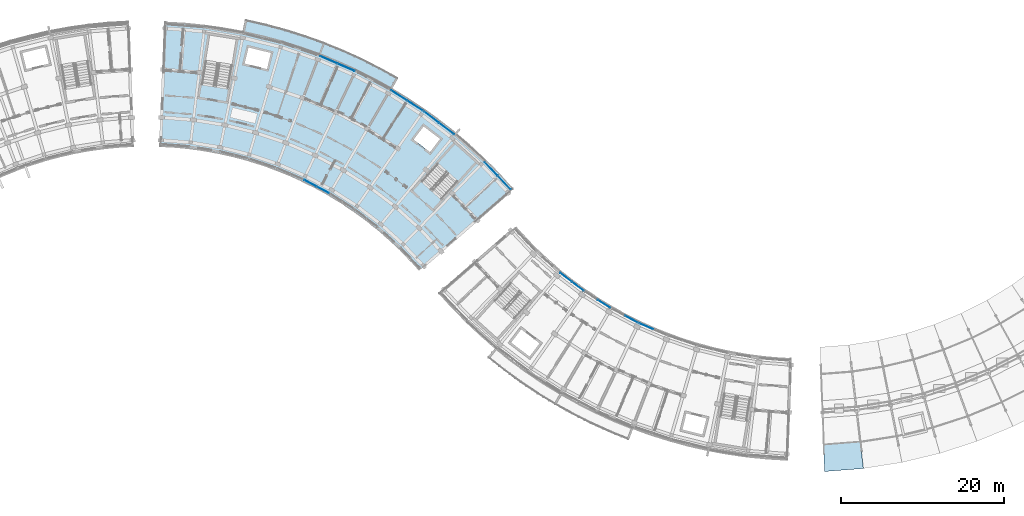
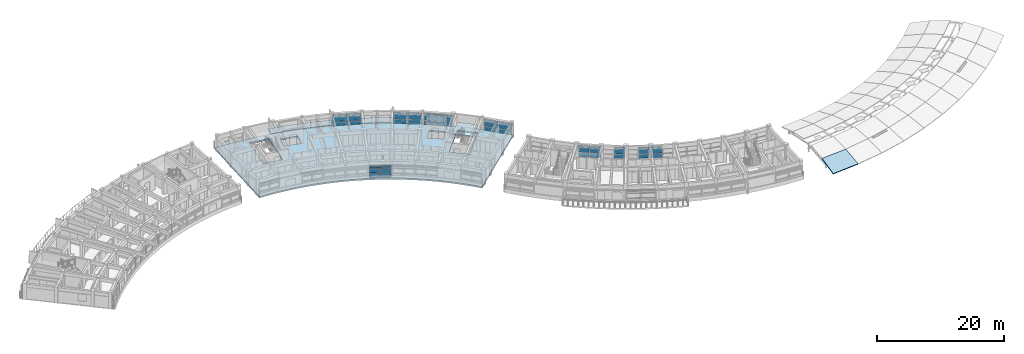
# One storey, part 27 of 50: 45 plates, 4 slabs, 10 elements without a shape of their own.
"""IFC4 building model written with IfcOpenShell, lengths in metres."""

from ifc_helpers import new_model, si_unit, direction, frame, origin, origin_2d, place, context, subcontext, project, spatial, polyline, rectangle, outline, extrude, material, layer, layer_set, type_object, element, aggregate, save


model = new_model("IFC4")

# Units and contexts
model_context = context("Model", 3, precision=1e-05, world=origin(), true_north=direction((0.0, 1.0)))
body_context = subcontext(model_context, "Body", "Model", "MODEL_VIEW")
ifc_project = project(units=[si_unit("LENGTHUNIT", "METRE"), si_unit("AREAUNIT", "SQUARE_METRE"), si_unit("VOLUMEUNIT", "CUBIC_METRE"), si_unit("PLANEANGLEUNIT", "RADIAN"), si_unit("MASSUNIT", "GRAM", prefix="KILO")], contexts=[model_context])

# Site, building, storey
site_placement = place(None, origin())
site = spatial("IfcSite", under=ifc_project, at=site_placement, CompositionType="ELEMENT")
building_placement = place(site_placement, origin())
building = spatial("IfcBuilding", under=site, at=building_placement, Name="Zimvara Arc Housing Community", CompositionType="ELEMENT")
storey_placement = place(building_placement, frame((0.0, 0.0, 26.699951171875)))
storey = spatial("IfcBuildingStorey", under=building, at=storey_placement, Name="L08", CompositionType="ELEMENT", Elevation=26.699951171875)

# Curtain wall, plates
ifc_material_1 = material(Name="Anodised Aluminium AW-6063", Category="aluminium")
curtain_wall_type_1 = type_object("IfcCurtainWallType", Name="CW-SYS-04", PredefinedType="USERDEFINED", material=ifc_material_1)
curtain_wall_1_placement = place(storey_placement, origin())
curtain_wall_1 = element("IfcCurtainWall", 1, at=curtain_wall_1_placement, inside=storey, type_object=curtain_wall_type_1, Name="cw:blkB:L08:in:b5", ObjectType="CURTAIN WALL", PredefinedType="USERDEFINED")
ifc_material_2 = material(Name="Pale-Gold Anodised Aluminium Spandrel Panel", Category="aluminium")
ifc_layer_1 = layer(ifc_material_2, 0.035888671875)
ifc_layer_set_1 = layer_set([ifc_layer_1], Name="Pale-Gold Anodised Aluminium Spandrel Panel")
plate_type_1 = type_object("IfcPlateType", Name="CWP-GLD-36", PredefinedType="CURTAIN_PANEL", material=ifc_layer_set_1)
plate_1_placement = place(storey_placement, frame((65.125244140625, 84.291259765625, 0.065185546875), z_axis=(0.0, 0.0, 1.0), x_axis=(0.88343981815, -0.468544648573, 0.0)))
plate_1 = element("IfcPlate", 2, at=plate_1_placement, type_object=plate_type_1, Name="CW04 panel 1.1", PredefinedType="CURTAIN_PANEL", context=body_context, shape_type="SweptSolid", body=[
    extrude(rectangle(XDim=1.664306640625, YDim=0.035888671875, at=origin_2d()), origin(), (0.0, 0.0, 1.0), 0.75244140625),
])
plate_2_placement = place(storey_placement, frame((65.125244140625, 84.291259765625, 0.88232421875), z_axis=(0.0, 0.0, 1.0), x_axis=(0.88343981815, -0.468544648573, 0.0)))
plate_2 = element("IfcPlate", 3, at=plate_2_placement, type_object=plate_type_1, Name="CW04 panel 1.2", PredefinedType="CURTAIN_PANEL", context=body_context, shape_type="SweptSolid", body=[
    extrude(rectangle(XDim=1.664306640625, YDim=0.035888671875, at=origin_2d()), origin(), (0.0, 0.0, 1.0), 0.885009765625),
])
plate_3_placement = place(storey_placement, frame((65.125244140625, 84.291259765625, 1.83251953125), z_axis=(0.0, 0.0, 1.0), x_axis=(0.88343981815, -0.468544648573, 0.0)))
plate_3 = element("IfcPlate", 4, at=plate_3_placement, type_object=plate_type_1, Name="CW04 panel 1.3", PredefinedType="CURTAIN_PANEL", context=body_context, shape_type="SweptSolid", body=[
    extrude(rectangle(XDim=1.664306640625, YDim=0.035888671875, at=origin_2d()), origin(), (0.0, 0.0, 1.0), 0.3525390625),
])
plate_4_placement = place(storey_placement, frame((66.653076171875, 83.48095703125, 0.065185546875), z_axis=(0.0, 0.0, 1.0), x_axis=(0.88343981815, -0.468544648573, 0.0)))
plate_4 = element("IfcPlate", 5, at=plate_4_placement, type_object=plate_type_1, Name="CW04 panel 2.1", PredefinedType="CURTAIN_PANEL", context=body_context, shape_type="SweptSolid", body=[
    extrude(rectangle(XDim=1.664306640625, YDim=0.035888671875, at=origin_2d()), origin(), (0.0, 0.0, 1.0), 0.75244140625),
])
plate_5_placement = place(storey_placement, frame((66.653076171875, 83.48095703125, 0.88232421875), z_axis=(0.0, 0.0, 1.0), x_axis=(0.88343981815, -0.468544648573, 0.0)))
plate_5 = element("IfcPlate", 6, at=plate_5_placement, type_object=plate_type_1, Name="CW04 panel 2.2", PredefinedType="CURTAIN_PANEL", context=body_context, shape_type="SweptSolid", body=[
    extrude(rectangle(XDim=1.664306640625, YDim=0.035888671875, at=origin_2d()), origin(), (0.0, 0.0, 1.0), 0.885009765625),
])
plate_6_placement = place(storey_placement, frame((66.653076171875, 83.48095703125, 1.83251953125), z_axis=(0.0, 0.0, 1.0), x_axis=(0.88343981815, -0.468544648573, 0.0)))
plate_6 = element("IfcPlate", 7, at=plate_6_placement, type_object=plate_type_1, Name="CW04 panel 2.3", PredefinedType="CURTAIN_PANEL", context=body_context, shape_type="SweptSolid", body=[
    extrude(rectangle(XDim=1.664306640625, YDim=0.035888671875, at=origin_2d()), origin(), (0.0, 0.0, 1.0), 0.3525390625),
])
aggregate(curtain_wall_1, [plate_1, plate_2, plate_3, plate_4, plate_5, plate_6])

ifc_material_3 = material(Name="Anodised Aluminium AW-6063", Category="aluminium")
curtain_wall_type_2 = type_object("IfcCurtainWallType", Name="CW-SYS-05", PredefinedType="USERDEFINED", material=ifc_material_3)
curtain_wall_2_placement = place(storey_placement, origin())
curtain_wall_2 = element("IfcCurtainWall", 8, at=curtain_wall_2_placement, inside=storey, type_object=curtain_wall_type_2, Name="cw:blkB:L08:out:b6", ObjectType="CURTAIN WALL", PredefinedType="USERDEFINED")
ifc_material_4 = material(Name="Solar Control Low-E Double Glazing", Category="glass")
ifc_layer_2 = layer(ifc_material_4, 0.02392578125)
ifc_layer_set_2 = layer_set([ifc_layer_2], Name="Solar Control Low-E Double Glazing")
plate_type_2 = type_object("IfcPlateType", Name="CWP-GLZ-24", PredefinedType="CURTAIN_PANEL", material=ifc_layer_set_2)
plate_7_placement = place(storey_placement, frame((76.0009765625, 95.1005859375, 0.065185546875), z_axis=(0.0, 0.0, 1.0), x_axis=(0.842264410931, -0.539064617721, 0.0)))
plate_7 = element("IfcPlate", 9, at=plate_7_placement, type_object=plate_type_2, Name="CW05 panel 1.1", PredefinedType="CURTAIN_PANEL", context=body_context, shape_type="SweptSolid", body=[
    extrude(rectangle(XDim=2.266845703125, YDim=0.02392578125, at=origin_2d()), origin(), (0.0, 0.0, 1.0), 0.75244140625),
])
plate_8_placement = place(storey_placement, frame((76.0009765625, 95.1005859375, 0.88232421875), z_axis=(0.0, 0.0, 1.0), x_axis=(0.842264410931, -0.539064617721, 0.0)))
plate_8 = element("IfcPlate", 10, at=plate_8_placement, type_object=plate_type_2, Name="CW05 panel 1.2", PredefinedType="CURTAIN_PANEL", context=body_context, shape_type="SweptSolid", body=[
    extrude(rectangle(XDim=2.266845703125, YDim=0.02392578125, at=origin_2d()), origin(), (0.0, 0.0, 1.0), 0.885009765625),
])
plate_9_placement = place(storey_placement, frame((76.0009765625, 95.1005859375, 1.83251953125), z_axis=(0.0, 0.0, 1.0), x_axis=(0.842264410931, -0.539064617721, 0.0)))
plate_9 = element("IfcPlate", 11, at=plate_9_placement, type_object=plate_type_2, Name="CW05 panel 1.3", PredefinedType="CURTAIN_PANEL", context=body_context, shape_type="SweptSolid", body=[
    extrude(rectangle(XDim=2.266845703125, YDim=0.02392578125, at=origin_2d()), origin(), (0.0, 0.0, 1.0), 0.3525390625),
])
plate_10_placement = place(storey_placement, frame((77.965087890625, 93.843505859375, 0.065185546875), z_axis=(0.0, 0.0, 1.0), x_axis=(0.842264410931, -0.539064617721, 0.0)))
plate_10 = element("IfcPlate", 12, at=plate_10_placement, type_object=plate_type_2, Name="CW05 panel 2.1", PredefinedType="CURTAIN_PANEL", context=body_context, shape_type="SweptSolid", body=[
    extrude(rectangle(XDim=2.266845703125, YDim=0.02392578125, at=origin_2d()), origin(), (0.0, 0.0, 1.0), 0.75244140625),
])
plate_11_placement = place(storey_placement, frame((77.965087890625, 93.843505859375, 0.88232421875), z_axis=(0.0, 0.0, 1.0), x_axis=(0.842264410931, -0.539064617721, 0.0)))
plate_11 = element("IfcPlate", 13, at=plate_11_placement, type_object=plate_type_2, Name="CW05 panel 2.2", PredefinedType="CURTAIN_PANEL", context=body_context, shape_type="SweptSolid", body=[
    extrude(rectangle(XDim=2.266845703125, YDim=0.02392578125, at=origin_2d()), origin(), (0.0, 0.0, 1.0), 0.885009765625),
])
plate_12_placement = place(storey_placement, frame((77.965087890625, 93.843505859375, 1.83251953125), z_axis=(0.0, 0.0, 1.0), x_axis=(0.842264410931, -0.539064617721, 0.0)))
plate_12 = element("IfcPlate", 14, at=plate_12_placement, type_object=plate_type_2, Name="CW05 panel 2.3", PredefinedType="CURTAIN_PANEL", context=body_context, shape_type="SweptSolid", body=[
    extrude(rectangle(XDim=2.266845703125, YDim=0.02392578125, at=origin_2d()), origin(), (0.0, 0.0, 1.0), 0.3525390625),
])
aggregate(curtain_wall_2, [plate_7, plate_8, plate_9, plate_10, plate_11, plate_12])

ifc_material_5 = material(Name="Anodised Aluminium AW-6063", Category="aluminium")
curtain_wall_type_3 = type_object("IfcCurtainWallType", Name="CW-SYS-01", PredefinedType="USERDEFINED", material=ifc_material_5)
curtain_wall_3_placement = place(storey_placement, origin())
curtain_wall_3 = element("IfcCurtainWall", 15, at=curtain_wall_3_placement, inside=storey, type_object=curtain_wall_type_3, Name="cw:blkB:L08:out:b9", ObjectType="CURTAIN WALL", PredefinedType="USERDEFINED")
plate_13_placement = place(storey_placement, frame((87.350341796875, 86.068115234375, 0.065185546875), z_axis=(0.0, 0.0, 1.0), x_axis=(0.686326416495, -0.727293647725, 0.0)))
plate_13 = element("IfcPlate", 16, at=plate_13_placement, type_object=plate_type_2, Name="CW01 panel 1.1", PredefinedType="CURTAIN_PANEL", context=body_context, shape_type="SweptSolid", body=[
    extrude(rectangle(XDim=2.266845703125, YDim=0.02392578125, at=origin_2d()), origin(), (0.0, 0.0, 1.0), 0.75244140625),
])
plate_14_placement = place(storey_placement, frame((87.350341796875, 86.068115234375, 0.88232421875), z_axis=(0.0, 0.0, 1.0), x_axis=(0.686326416495, -0.727293647725, 0.0)))
plate_14 = element("IfcPlate", 17, at=plate_14_placement, type_object=plate_type_2, Name="CW01 panel 1.2", PredefinedType="CURTAIN_PANEL", context=body_context, shape_type="SweptSolid", body=[
    extrude(rectangle(XDim=2.266845703125, YDim=0.02392578125, at=origin_2d()), origin(), (0.0, 0.0, 1.0), 0.885009765625),
])
plate_15_placement = place(storey_placement, frame((87.350341796875, 86.068115234375, 1.83251953125), z_axis=(0.0, 0.0, 1.0), x_axis=(0.686326416495, -0.727293647725, 0.0)))
plate_15 = element("IfcPlate", 18, at=plate_15_placement, type_object=plate_type_2, Name="CW01 panel 1.3", PredefinedType="CURTAIN_PANEL", context=body_context, shape_type="SweptSolid", body=[
    extrude(rectangle(XDim=2.266845703125, YDim=0.02392578125, at=origin_2d()), origin(), (0.0, 0.0, 1.0), 0.3525390625),
])
plate_16_placement = place(storey_placement, frame((88.950927734375, 84.3720703125, 0.065185546875), z_axis=(0.0, 0.0, 1.0), x_axis=(0.686326416495, -0.727293647725, 0.0)))
plate_16 = element("IfcPlate", 19, at=plate_16_placement, type_object=plate_type_2, Name="CW01 panel 2.1", PredefinedType="CURTAIN_PANEL", context=body_context, shape_type="SweptSolid", body=[
    extrude(rectangle(XDim=2.266845703125, YDim=0.02392578125, at=origin_2d()), origin(), (0.0, 0.0, 1.0), 0.75244140625),
])
plate_17_placement = place(storey_placement, frame((88.950927734375, 84.3720703125, 0.88232421875), z_axis=(0.0, 0.0, 1.0), x_axis=(0.686326416495, -0.727293647725, 0.0)))
plate_17 = element("IfcPlate", 20, at=plate_17_placement, type_object=plate_type_2, Name="CW01 panel 2.2", PredefinedType="CURTAIN_PANEL", context=body_context, shape_type="SweptSolid", body=[
    extrude(rectangle(XDim=2.266845703125, YDim=0.02392578125, at=origin_2d()), origin(), (0.0, 0.0, 1.0), 0.885009765625),
])
plate_18_placement = place(storey_placement, frame((88.950927734375, 84.3720703125, 1.83251953125), z_axis=(0.0, 0.0, 1.0), x_axis=(0.686326416495, -0.727293647725, 0.0)))
plate_18 = element("IfcPlate", 21, at=plate_18_placement, type_object=plate_type_2, Name="CW01 panel 2.3", PredefinedType="CURTAIN_PANEL", context=body_context, shape_type="SweptSolid", body=[
    extrude(rectangle(XDim=2.266845703125, YDim=0.02392578125, at=origin_2d()), origin(), (0.0, 0.0, 1.0), 0.3525390625),
])
aggregate(curtain_wall_3, [plate_13, plate_14, plate_15, plate_16, plate_17, plate_18])

curtain_wall_4_placement = place(storey_placement, origin())
curtain_wall_4 = element("IfcCurtainWall", 22, at=curtain_wall_4_placement, inside=storey, type_object=curtain_wall_type_2, Name="cw:blkC:L08:in:b4", ObjectType="CURTAIN WALL", PredefinedType="USERDEFINED")
plate_19_placement = place(storey_placement, frame((104.594482421875, 67.5703125, 0.065185546875), z_axis=(0.0, 0.0, 1.0), x_axis=(0.883438518424, -0.468547099195, 0.0)))
plate_19 = element("IfcPlate", 23, at=plate_19_placement, type_object=plate_type_2, Name="CW05 panel 2.1", PredefinedType="CURTAIN_PANEL", context=body_context, shape_type="SweptSolid", body=[
    extrude(rectangle(XDim=1.778564453125, YDim=0.02392578125, at=origin_2d()), origin(), (0.0, 0.0, 1.0), 0.75244140625),
])
plate_20_placement = place(storey_placement, frame((104.594482421875, 67.5703125, 0.88232421875), z_axis=(0.0, 0.0, 1.0), x_axis=(0.883438518424, -0.468547099195, 0.0)))
plate_20 = element("IfcPlate", 24, at=plate_20_placement, type_object=plate_type_2, Name="CW05 panel 2.2", PredefinedType="CURTAIN_PANEL", context=body_context, shape_type="SweptSolid", body=[
    extrude(rectangle(XDim=1.778564453125, YDim=0.02392578125, at=origin_2d()), origin(), (0.0, 0.0, 1.0), 0.885009765625),
])
plate_21_placement = place(storey_placement, frame((104.594482421875, 67.5703125, 1.83251953125), z_axis=(0.0, 0.0, 1.0), x_axis=(0.883438518424, -0.468547099195, 0.0)))
plate_21 = element("IfcPlate", 25, at=plate_21_placement, type_object=plate_type_2, Name="CW05 panel 2.3", PredefinedType="CURTAIN_PANEL", context=body_context, shape_type="SweptSolid", body=[
    extrude(rectangle(XDim=1.778564453125, YDim=0.02392578125, at=origin_2d()), origin(), (0.0, 0.0, 1.0), 0.3525390625),
])
aggregate(curtain_wall_4, [plate_19, plate_20, plate_21])

ifc_material_6 = material(Name="Anodised Aluminium AW-6063", Category="aluminium")
curtain_wall_type_4 = type_object("IfcCurtainWallType", Name="CW-SYS-02", PredefinedType="USERDEFINED", material=ifc_material_6)
curtain_wall_5_placement = place(storey_placement, origin())
curtain_wall_5 = element("IfcCurtainWall", 26, at=curtain_wall_5_placement, inside=storey, type_object=curtain_wall_type_4, Name="cw:blkB:L08:out:b4", ObjectType="CURTAIN WALL", PredefinedType="USERDEFINED")
ifc_material_7 = material(Name="Solar Control Low-E Double Glazing", Category="glass")
ifc_layer_3 = layer(ifc_material_7, 0.028076171875)
ifc_layer_set_3 = layer_set([ifc_layer_3], Name="Solar Control Low-E Double Glazing")
plate_type_3 = type_object("IfcPlateType", Name="CWP-GLZ-28", PredefinedType="CURTAIN_PANEL", material=ifc_layer_set_3)
plate_22_placement = place(storey_placement, frame((67.358642578125, 99.46875, 0.065185546875), z_axis=(0.0, 0.0, 1.0), x_axis=(0.918722299363, -0.394904211998, 0.0)))
plate_22 = element("IfcPlate", 27, at=plate_22_placement, type_object=plate_type_3, Name="CW02 panel 1.1", PredefinedType="CURTAIN_PANEL", context=body_context, shape_type="SweptSolid", body=[
    extrude(rectangle(XDim=2.266845703125, YDim=0.028076171875, at=origin_2d()), origin(), (0.0, 0.0, 1.0), 0.75244140625),
])
plate_23_placement = place(storey_placement, frame((67.358642578125, 99.46875, 0.88232421875), z_axis=(0.0, 0.0, 1.0), x_axis=(0.918722299363, -0.394904211998, 0.0)))
plate_23 = element("IfcPlate", 28, at=plate_23_placement, type_object=plate_type_3, Name="CW02 panel 1.2", PredefinedType="CURTAIN_PANEL", context=body_context, shape_type="SweptSolid", body=[
    extrude(rectangle(XDim=2.266845703125, YDim=0.028076171875, at=origin_2d()), origin(), (0.0, 0.0, 1.0), 0.885009765625),
])
plate_24_placement = place(storey_placement, frame((67.358642578125, 99.46875, 1.83251953125), z_axis=(0.0, 0.0, 1.0), x_axis=(0.918722299363, -0.394904211998, 0.0)))
plate_24 = element("IfcPlate", 29, at=plate_24_placement, type_object=plate_type_3, Name="CW02 panel 1.3", PredefinedType="CURTAIN_PANEL", context=body_context, shape_type="SweptSolid", body=[
    extrude(rectangle(XDim=2.266845703125, YDim=0.028076171875, at=origin_2d()), origin(), (0.0, 0.0, 1.0), 0.3525390625),
])
plate_25_placement = place(storey_placement, frame((69.5009765625, 98.5478515625, 0.065185546875), z_axis=(0.0, 0.0, 1.0), x_axis=(0.918722299363, -0.394904211998, 0.0)))
plate_25 = element("IfcPlate", 30, at=plate_25_placement, type_object=plate_type_3, Name="CW02 panel 2.1", PredefinedType="CURTAIN_PANEL", context=body_context, shape_type="SweptSolid", body=[
    extrude(rectangle(XDim=2.266845703125, YDim=0.028076171875, at=origin_2d()), origin(), (0.0, 0.0, 1.0), 0.75244140625),
])
plate_26_placement = place(storey_placement, frame((69.5009765625, 98.5478515625, 0.88232421875), z_axis=(0.0, 0.0, 1.0), x_axis=(0.918722299363, -0.394904211998, 0.0)))
plate_26 = element("IfcPlate", 31, at=plate_26_placement, type_object=plate_type_3, Name="CW02 panel 2.2", PredefinedType="CURTAIN_PANEL", context=body_context, shape_type="SweptSolid", body=[
    extrude(rectangle(XDim=2.266845703125, YDim=0.028076171875, at=origin_2d()), origin(), (0.0, 0.0, 1.0), 0.885009765625),
])
plate_27_placement = place(storey_placement, frame((69.5009765625, 98.5478515625, 1.83251953125), z_axis=(0.0, 0.0, 1.0), x_axis=(0.918722299363, -0.394904211998, 0.0)))
plate_27 = element("IfcPlate", 32, at=plate_27_placement, type_object=plate_type_3, Name="CW02 panel 2.3", PredefinedType="CURTAIN_PANEL", context=body_context, shape_type="SweptSolid", body=[
    extrude(rectangle(XDim=2.266845703125, YDim=0.028076171875, at=origin_2d()), origin(), (0.0, 0.0, 1.0), 0.3525390625),
])
aggregate(curtain_wall_5, [plate_22, plate_23, plate_24, plate_25, plate_26, plate_27])

curtain_wall_6_placement = place(storey_placement, origin())
curtain_wall_6 = element("IfcCurtainWall", 33, at=curtain_wall_6_placement, inside=storey, type_object=curtain_wall_type_4, Name="cw:blkC:L08:in:b2", ObjectType="CURTAIN WALL", PredefinedType="USERDEFINED")
plate_28_placement = place(storey_placement, frame((96.53466796875, 72.728759765625, 0.065185546875), z_axis=(0.0, 0.0, 1.0), x_axis=(0.795473930895, -0.605987809503, 0.0)))
plate_28 = element("IfcPlate", 34, at=plate_28_placement, type_object=plate_type_3, Name="CW02 panel 1.1", PredefinedType="CURTAIN_PANEL", context=body_context, shape_type="SweptSolid", body=[
    extrude(rectangle(XDim=1.778564453125, YDim=0.028076171875, at=origin_2d()), origin(), (0.0, 0.0, 1.0), 0.75244140625),
])
plate_29_placement = place(storey_placement, frame((96.53466796875, 72.728759765625, 0.88232421875), z_axis=(0.0, 0.0, 1.0), x_axis=(0.795473930895, -0.605987809503, 0.0)))
plate_29 = element("IfcPlate", 35, at=plate_29_placement, type_object=plate_type_3, Name="CW02 panel 1.2", PredefinedType="CURTAIN_PANEL", context=body_context, shape_type="SweptSolid", body=[
    extrude(rectangle(XDim=1.778564453125, YDim=0.028076171875, at=origin_2d()), origin(), (0.0, 0.0, 1.0), 0.885009765625),
])
plate_30_placement = place(storey_placement, frame((96.53466796875, 72.728759765625, 1.83251953125), z_axis=(0.0, 0.0, 1.0), x_axis=(0.795473930895, -0.605987809503, 0.0)))
plate_30 = element("IfcPlate", 36, at=plate_30_placement, type_object=plate_type_3, Name="CW02 panel 1.3", PredefinedType="CURTAIN_PANEL", context=body_context, shape_type="SweptSolid", body=[
    extrude(rectangle(XDim=1.778564453125, YDim=0.028076171875, at=origin_2d()), origin(), (0.0, 0.0, 1.0), 0.3525390625),
])
plate_31_placement = place(storey_placement, frame((98.001220703125, 71.611572265625, 0.065185546875), z_axis=(0.0, 0.0, 1.0), x_axis=(0.795473930895, -0.605987809503, 0.0)))
plate_31 = element("IfcPlate", 37, at=plate_31_placement, type_object=plate_type_3, Name="CW02 panel 2.1", PredefinedType="CURTAIN_PANEL", context=body_context, shape_type="SweptSolid", body=[
    extrude(rectangle(XDim=1.778564453125, YDim=0.028076171875, at=origin_2d()), origin(), (0.0, 0.0, 1.0), 0.75244140625),
])
plate_32_placement = place(storey_placement, frame((98.001220703125, 71.611572265625, 0.88232421875), z_axis=(0.0, 0.0, 1.0), x_axis=(0.795473930895, -0.605987809503, 0.0)))
plate_32 = element("IfcPlate", 38, at=plate_32_placement, type_object=plate_type_3, Name="CW02 panel 2.2", PredefinedType="CURTAIN_PANEL", context=body_context, shape_type="SweptSolid", body=[
    extrude(rectangle(XDim=1.778564453125, YDim=0.028076171875, at=origin_2d()), origin(), (0.0, 0.0, 1.0), 0.885009765625),
])
plate_33_placement = place(storey_placement, frame((98.001220703125, 71.611572265625, 1.83251953125), z_axis=(0.0, 0.0, 1.0), x_axis=(0.795473930895, -0.605987809503, 0.0)))
plate_33 = element("IfcPlate", 39, at=plate_33_placement, type_object=plate_type_3, Name="CW02 panel 2.3", PredefinedType="CURTAIN_PANEL", context=body_context, shape_type="SweptSolid", body=[
    extrude(rectangle(XDim=1.778564453125, YDim=0.028076171875, at=origin_2d()), origin(), (0.0, 0.0, 1.0), 0.3525390625),
])
aggregate(curtain_wall_6, [plate_28, plate_29, plate_30, plate_31, plate_32, plate_33])

ifc_material_8 = material(Name="Anodised Aluminium AW-6063", Category="aluminium")
curtain_wall_type_5 = type_object("IfcCurtainWallType", Name="CW-SYS-06", PredefinedType="USERDEFINED", material=ifc_material_8)
curtain_wall_7_placement = place(storey_placement, origin())
curtain_wall_7 = element("IfcCurtainWall", 40, at=curtain_wall_7_placement, inside=storey, type_object=curtain_wall_type_5, Name="cw:blkC:L08:in:b5", ObjectType="CURTAIN WALL", PredefinedType="USERDEFINED")
plate_34_placement = place(storey_placement, frame((106.42236328125, 66.694580078125, 0.065185546875), z_axis=(0.0, 0.0, 1.0), x_axis=(0.918722411261, -0.394903951674, 0.0)))
plate_34 = element("IfcPlate", 41, at=plate_34_placement, type_object=plate_type_3, Name="CW06 panel 1.1", PredefinedType="CURTAIN_PANEL", context=body_context, shape_type="SweptSolid", body=[
    extrude(rectangle(XDim=1.778564453125, YDim=0.028076171875, at=origin_2d()), origin(), (0.0, 0.0, 1.0), 0.75244140625),
])
plate_35_placement = place(storey_placement, frame((106.42236328125, 66.694580078125, 0.88232421875), z_axis=(0.0, 0.0, 1.0), x_axis=(0.918722411261, -0.394903951674, 0.0)))
plate_35 = element("IfcPlate", 42, at=plate_35_placement, type_object=plate_type_3, Name="CW06 panel 1.2", PredefinedType="CURTAIN_PANEL", context=body_context, shape_type="SweptSolid", body=[
    extrude(rectangle(XDim=1.778564453125, YDim=0.028076171875, at=origin_2d()), origin(), (0.0, 0.0, 1.0), 0.885009765625),
])
plate_36_placement = place(storey_placement, frame((106.42236328125, 66.694580078125, 1.83251953125), z_axis=(0.0, 0.0, 1.0), x_axis=(0.918722411261, -0.394903951674, 0.0)))
plate_36 = element("IfcPlate", 43, at=plate_36_placement, type_object=plate_type_3, Name="CW06 panel 1.3", PredefinedType="CURTAIN_PANEL", context=body_context, shape_type="SweptSolid", body=[
    extrude(rectangle(XDim=1.778564453125, YDim=0.028076171875, at=origin_2d()), origin(), (0.0, 0.0, 1.0), 0.3525390625),
])
aggregate(curtain_wall_7, [plate_34, plate_35, plate_36])

ifc_material_9 = material(Name="Anodised Aluminium AW-6063", Category="aluminium")
curtain_wall_type_6 = type_object("IfcCurtainWallType", Name="CW-SYS-07", PredefinedType="USERDEFINED", material=ifc_material_9)
curtain_wall_8_placement = place(storey_placement, origin())
curtain_wall_8 = element("IfcCurtainWall", 44, at=curtain_wall_8_placement, inside=storey, type_object=curtain_wall_type_6, Name="cw:blkB:L08:out:b7", ObjectType="CURTAIN WALL", PredefinedType="USERDEFINED")
ifc_material_10 = material(Name="Acoustic Laminated Solar Glazing", Category="glass")
ifc_layer_4 = layer(ifc_material_10, 0.031982421875)
ifc_layer_set_4 = layer_set([ifc_layer_4], Name="Acoustic Laminated Solar Glazing")
plate_type_4 = type_object("IfcPlateType", Name="CWP-GLZ-32", PredefinedType="CURTAIN_PANEL", material=ifc_layer_set_4)
plate_37_placement = place(storey_placement, frame((80.026123046875, 92.40234375, 0.065185546875), z_axis=(0.0, 0.0, 1.0), x_axis=(0.795473999177, -0.60598771987, 0.0)))
plate_37 = element("IfcPlate", 45, at=plate_37_placement, type_object=plate_type_4, Name="CW07 panel 1.1", PredefinedType="CURTAIN_PANEL", context=body_context, shape_type="SweptSolid", body=[
    extrude(rectangle(XDim=2.266845703125, YDim=0.031982421875, at=origin_2d()), origin(), (0.0, 0.0, 1.0), 0.75244140625),
])
plate_38_placement = place(storey_placement, frame((80.026123046875, 92.40234375, 0.88232421875), z_axis=(0.0, 0.0, 1.0), x_axis=(0.795473999177, -0.60598771987, 0.0)))
plate_38 = element("IfcPlate", 46, at=plate_38_placement, type_object=plate_type_4, Name="CW07 panel 1.2", PredefinedType="CURTAIN_PANEL", context=body_context, shape_type="SweptSolid", body=[
    extrude(rectangle(XDim=2.266845703125, YDim=0.031982421875, at=origin_2d()), origin(), (0.0, 0.0, 1.0), 0.885009765625),
])
plate_39_placement = place(storey_placement, frame((80.026123046875, 92.40234375, 1.83251953125), z_axis=(0.0, 0.0, 1.0), x_axis=(0.795473999177, -0.60598771987, 0.0)))
plate_39 = element("IfcPlate", 47, at=plate_39_placement, type_object=plate_type_4, Name="CW07 panel 1.3", PredefinedType="CURTAIN_PANEL", context=body_context, shape_type="SweptSolid", body=[
    extrude(rectangle(XDim=2.266845703125, YDim=0.031982421875, at=origin_2d()), origin(), (0.0, 0.0, 1.0), 0.3525390625),
])
plate_40_placement = place(storey_placement, frame((81.881103515625, 90.9892578125, 0.065185546875), z_axis=(0.0, 0.0, 1.0), x_axis=(0.795473999177, -0.60598771987, 0.0)))
plate_40 = element("IfcPlate", 48, at=plate_40_placement, type_object=plate_type_4, Name="CW07 panel 2.1", PredefinedType="CURTAIN_PANEL", context=body_context, shape_type="SweptSolid", body=[
    extrude(rectangle(XDim=2.266845703125, YDim=0.031982421875, at=origin_2d()), origin(), (0.0, 0.0, 1.0), 0.75244140625),
])
plate_41_placement = place(storey_placement, frame((81.881103515625, 90.9892578125, 0.88232421875), z_axis=(0.0, 0.0, 1.0), x_axis=(0.795473999177, -0.60598771987, 0.0)))
plate_41 = element("IfcPlate", 49, at=plate_41_placement, type_object=plate_type_4, Name="CW07 panel 2.2", PredefinedType="CURTAIN_PANEL", context=body_context, shape_type="SweptSolid", body=[
    extrude(rectangle(XDim=2.266845703125, YDim=0.031982421875, at=origin_2d()), origin(), (0.0, 0.0, 1.0), 0.885009765625),
])
plate_42_placement = place(storey_placement, frame((81.881103515625, 90.9892578125, 1.83251953125), z_axis=(0.0, 0.0, 1.0), x_axis=(0.795473999177, -0.60598771987, 0.0)))
plate_42 = element("IfcPlate", 50, at=plate_42_placement, type_object=plate_type_4, Name="CW07 panel 2.3", PredefinedType="CURTAIN_PANEL", context=body_context, shape_type="SweptSolid", body=[
    extrude(rectangle(XDim=2.266845703125, YDim=0.031982421875, at=origin_2d()), origin(), (0.0, 0.0, 1.0), 0.3525390625),
])
aggregate(curtain_wall_8, [plate_37, plate_38, plate_39, plate_40, plate_41, plate_42])

ifc_material_11 = material(Name="Anodised Aluminium AW-6063", Category="aluminium")
curtain_wall_type_7 = type_object("IfcCurtainWallType", Name="CW-SYS-03", PredefinedType="USERDEFINED", material=ifc_material_11)
curtain_wall_9_placement = place(storey_placement, origin())
curtain_wall_9 = element("IfcCurtainWall", 51, at=curtain_wall_9_placement, inside=storey, type_object=curtain_wall_type_7, Name="cw:blkC:L08:in:b3", ObjectType="CURTAIN WALL", PredefinedType="USERDEFINED")
plate_43_placement = place(storey_placement, frame((101.21533203125, 69.456298828125, 0.065185546875), z_axis=(0.0, 0.0, 1.0), x_axis=(0.842264092079, -0.539065115913, 0.0)))
plate_43 = element("IfcPlate", 52, at=plate_43_placement, type_object=plate_type_4, Name="CW03 panel 2.1", PredefinedType="CURTAIN_PANEL", context=body_context, shape_type="SweptSolid", body=[
    extrude(rectangle(XDim=1.778564453125, YDim=0.031982421875, at=origin_2d()), origin(), (0.0, 0.0, 1.0), 0.75244140625),
])
plate_44_placement = place(storey_placement, frame((101.21533203125, 69.456298828125, 0.88232421875), z_axis=(0.0, 0.0, 1.0), x_axis=(0.842264092079, -0.539065115913, 0.0)))
plate_44 = element("IfcPlate", 53, at=plate_44_placement, type_object=plate_type_4, Name="CW03 panel 2.2", PredefinedType="CURTAIN_PANEL", context=body_context, shape_type="SweptSolid", body=[
    extrude(rectangle(XDim=1.778564453125, YDim=0.031982421875, at=origin_2d()), origin(), (0.0, 0.0, 1.0), 0.885009765625),
])
plate_45_placement = place(storey_placement, frame((101.21533203125, 69.456298828125, 1.83251953125), z_axis=(0.0, 0.0, 1.0), x_axis=(0.842264092079, -0.539065115913, 0.0)))
plate_45 = element("IfcPlate", 54, at=plate_45_placement, type_object=plate_type_4, Name="CW03 panel 2.3", PredefinedType="CURTAIN_PANEL", context=body_context, shape_type="SweptSolid", body=[
    extrude(rectangle(XDim=1.778564453125, YDim=0.031982421875, at=origin_2d()), origin(), (0.0, 0.0, 1.0), 0.3525390625),
])
aggregate(curtain_wall_9, [plate_43, plate_44, plate_45])

# Slab
ifc_material_12 = material(Name="Concrete C40/50", Category="concrete")
ifc_layer_5 = layer(ifc_material_12, 0.179931640625)
ifc_layer_set_5 = layer_set([ifc_layer_5], Name="Concrete C40/50")
slab_type_1 = type_object("IfcSlabType", Name="SLB-BRL-ROOF-180", PredefinedType="ROOF", material=ifc_layer_set_5)
slab_1_placement = place(storey_placement, frame((133.102783203125, 49.22705078125, 0.1201171875), z_axis=(0.022520451444, -0.289340329613, 0.956961338261), x_axis=(-0.996983468799, -0.077614192773, -4.596131e-06)))
element("IfcSlab", 55, at=slab_1_placement, inside=storey, type_object=slab_type_1, Name="roof:blkD:out2:b0:t0", PredefinedType="ROOF", context=body_context, shape_type="SweptSolid", body=[
    extrude(outline(polyline([(0.0, 0.0), (4.793757913818608, 5.551115123125783e-17), (4.664138942326483, -3.445790010610871), (0.1294753859272629, -3.4456422767315216), (0.0, 0.0)])), origin(), (0.0, 0.0, -1.0), 0.179931640625),
])

# Stair, slab
ifc_material_13 = material(Name="Concrete C35/45", Category="concrete")
stair_type = type_object("IfcStairType", Name="STR-DL-318-310", PredefinedType="HALF_TURN_STAIR", material=ifc_material_13)
stair_placement = place(storey_placement, origin())
stair = element("IfcStair", 56, at=stair_placement, inside=storey, type_object=stair_type, Name="L08 Block B Exit Stair 2", PredefinedType="HALF_TURN_STAIR")
ifc_material_14 = material(Name="Concrete C35/45", Category="concrete")
ifc_layer_6 = layer(ifc_material_14, 0.199951171875)
ifc_layer_set_6 = layer_set([ifc_layer_6], Name="Concrete C35/45")
slab_type_2 = type_object("IfcSlabType", Name="SLB-STAIR-LND-200", PredefinedType="LANDING", material=ifc_layer_set_6)
slab_2_placement = place(storey_placement, frame((0.0, 0.0, 1.35009765625)))
slab_2 = element("IfcSlab", 57, at=slab_2_placement, type_object=slab_type_2, Name="ST-B2 landing 1", PredefinedType="LANDING", context=body_context, shape_type="SweptSolid", body=[
    extrude(outline(polyline([(83.185302734375, 84.42724609375), (85.404541015625, 86.8935546875), (82.90673828125, 89.14111328125), (80.6875, 86.674560546875), (83.185302734375, 84.42724609375)])), origin(), (0.0, 0.0, 1.0), 0.199951171875),
])
aggregate(stair, [slab_2])

# Slabs
ifc_material_15 = material(Name="Concrete C35/45", Category="concrete")
ifc_layer_7 = layer(ifc_material_15, 0.2099609375)
ifc_layer_set_7 = layer_set([ifc_layer_7], Name="Concrete C35/45")
slab_type_3 = type_object("IfcSlabType", Name="SLB-TER-210", PredefinedType="FLOOR", material=ifc_layer_set_7)
slab_3_placement = place(storey_placement, frame((0.0, 0.0, -0.2099609375)))
element("IfcSlab", 58, at=slab_3_placement, inside=storey, type_object=slab_type_3, Name="slab:blkB:L08:bal_out", PredefinedType="FLOOR", context=body_context, shape_type="SweptSolid", body=[
    extrude(outline(polyline([(57.244140625, 104.360595703125), (56.949462890625, 102.92041015625), (56.9501953125, 102.92041015625), (59.32421875, 102.384033203125), (59.325439453125, 102.3837890625), (61.675537109375, 101.750732421875), (61.6767578125, 101.75048828125), (63.999267578125, 101.022216796875), (64.00048828125, 101.02197265625), (66.291259765625, 100.199462890625), (66.292236328125, 100.198974609375), (68.547607421875, 99.28369140625), (68.548583984375, 99.283203125), (70.7646484375, 98.276611328125), (70.765869140625, 98.27587890625), (72.93896484375, 97.1796875), (72.93994140625, 97.17919921875), (75.06640625, 95.9951171875), (75.06689453125, 95.994873046875), (75.80810546875, 97.26416015625), (74.724365234375, 97.88232421875), (73.628173828125, 98.47802734375), (72.52001953125, 99.051513671875), (71.400390625, 99.60205078125), (70.269775390625, 100.129638671875), (69.128662109375, 100.634033203125), (67.9775390625, 101.114990234375), (66.816650390625, 101.572265625), (65.646728515625, 102.005859375), (64.46826171875, 102.41552734375), (63.281494140625, 102.80078125), (62.08740234375, 103.162109375), (60.885986328125, 103.498779296875), (59.677978515625, 103.810791015625), (58.4638671875, 104.09814453125), (57.244140625, 104.360595703125)])), origin(), (0.0, 0.0, 1.0), 0.2099609375),
])
ifc_material_16 = material(Name="Concrete C35/45", Category="concrete")
ifc_layer_8 = layer(ifc_material_16, 0.27197265625)
ifc_layer_set_8 = layer_set([ifc_layer_8], Name="Concrete C35/45")
slab_type_4 = type_object("IfcSlabType", Name="SLB-VAR-12", PredefinedType="FLOOR", material=ifc_layer_set_8)
slab_4_placement = place(storey_placement, frame((0.0, 0.0, -0.27197265625)))
element("IfcSlab", 59, at=slab_4_placement, inside=storey, type_object=slab_type_4, Name="slab:blkB:L08:main", PredefinedType="FLOOR", context=body_context, shape_type="SweptSolid", body=[
    extrude(outline(polyline([(46.704345703125, 88.8671875), (48.514404296875, 88.7607421875), (50.318603515625, 88.580322265625), (52.114013671875, 88.326416015625), (53.8974609375, 87.999267578125), (55.666015625, 87.599853515625), (57.4169921875, 87.12841796875), (59.147216796875, 86.5859375), (60.853759765625, 85.97314453125), (62.53369140625, 85.291259765625), (64.1845703125, 84.541259765625), (65.803466796875, 83.724609375), (67.3876953125, 82.842529296875), (68.9345703125, 81.896484375), (70.44140625, 80.88818359375), (71.90576171875, 79.819091796875), (73.325439453125, 78.69091796875), (74.697998046875, 77.506103515625), (76.020751953125, 76.265869140625), (77.291748046875, 74.972900390625), (78.509033203125, 73.62890625), (89.980712890625, 83.60107421875), (88.3466796875, 85.405029296875), (86.640380859375, 87.140869140625), (84.86474609375, 88.805419921875), (83.0224609375, 90.39599609375), (81.116943359375, 91.91015625), (79.151123046875, 93.34521484375), (77.128173828125, 94.698974609375), (75.052001953125, 95.96875), (72.92529296875, 97.15283203125), (70.752197265625, 98.249267578125), (68.536376953125, 99.255859375), (66.281005859375, 100.171142578125), (63.990234375, 100.99365234375), (61.667724609375, 101.721923828125), (59.317626953125, 102.354736328125), (56.943359375, 102.89111328125), (54.549560546875, 103.330078125), (52.139404296875, 103.6708984375), (49.717529296875, 103.9130859375), (47.287841796875, 104.05615234375), (46.704345703125, 88.8671875)]), holes=[polyline([(51.777099609375, 96.48583984375), (52.75439453125, 102.507080078125), (55.991943359375, 101.9814453125), (55.0146484375, 95.960205078125), (51.777099609375, 96.48583984375)]), polyline([(78.82958984375, 84.550048828125), (82.909912109375, 89.08447265625), (85.34814453125, 86.890625), (81.26806640625, 82.356201171875), (78.82958984375, 84.550048828125)]), polyline([(57.0263671875, 99.007080078125), (57.516357421875, 100.9873046875), (60.273193359375, 100.30517578125), (59.783203125, 98.324951171875), (57.0263671875, 99.007080078125)]), polyline([(77.803955078125, 89.656982421875), (79.0400390625, 91.27978515625), (81.060546875, 89.740478515625), (79.824462890625, 88.117919921875), (77.803955078125, 89.656982421875)])]), origin(), (0.0, 0.0, 1.0), 0.27197265625),
])

save(model, "model.ifc")
